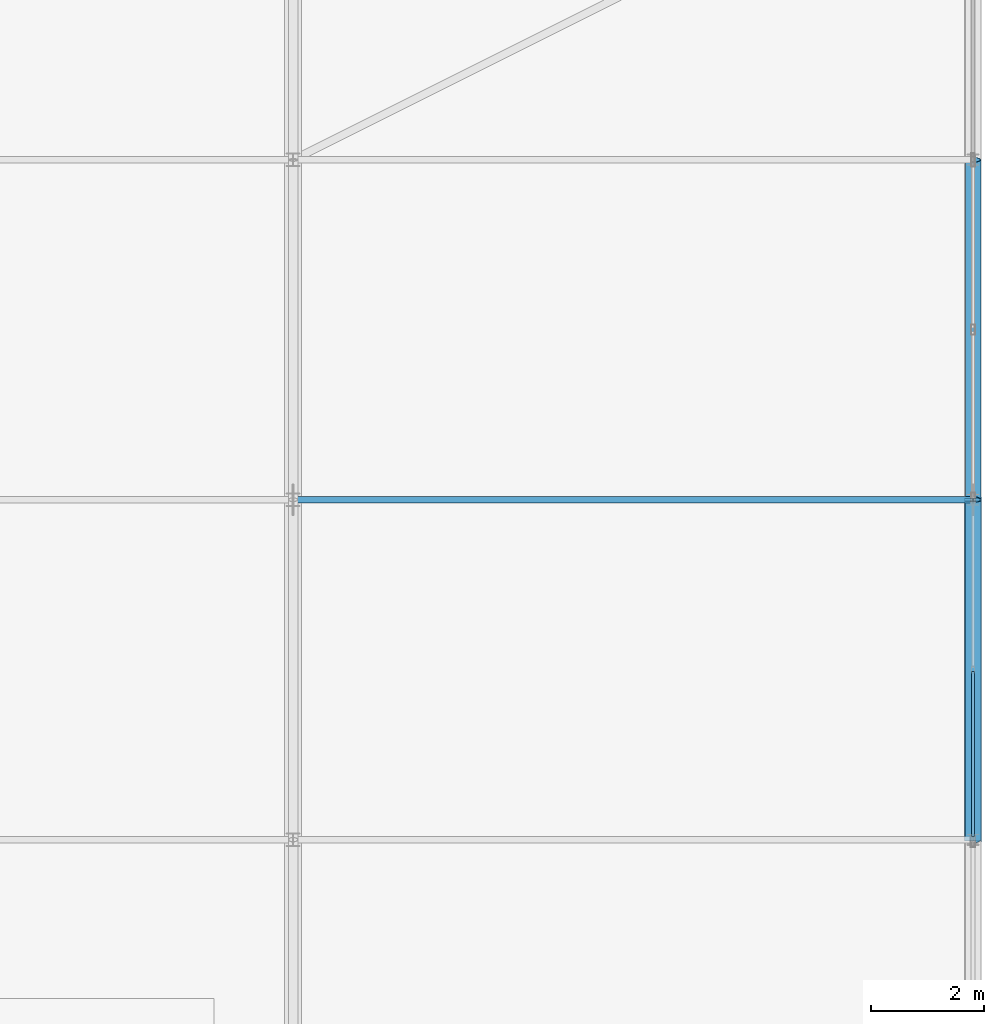
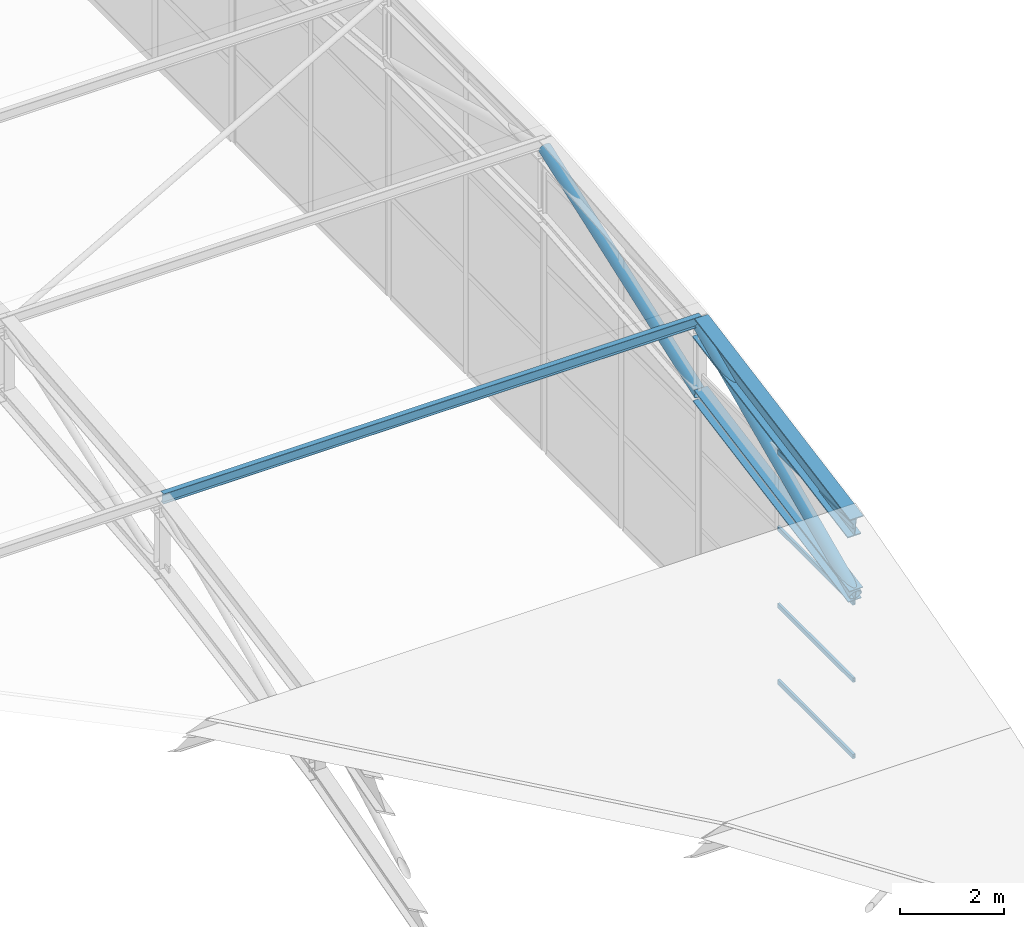
# One storey, part 109 of 204: 9 members, 1 element without a shape of its own.
"""IFC4 building model written with IfcOpenShell, lengths in metres."""

from ifc_helpers import new_model, si_unit, direction, frame, origin, origin_2d, place, context, subcontext, project, spatial, hollow_rectangle, hollow_circle, i_section, extrude, material, layer, layer_set, material_profile, profile_set, type_object, element, aggregate, save


model = new_model("IFC4")

# Units and contexts
model_context = context("Model", 3, precision=1e-05, world=origin(), true_north=direction((0.0, 1.0)))
body_context = subcontext(model_context, "Body", "Model", "MODEL_VIEW")
ifc_project = project(units=[si_unit("LENGTHUNIT", "METRE"), si_unit("AREAUNIT", "SQUARE_METRE"), si_unit("VOLUMEUNIT", "CUBIC_METRE"), si_unit("PLANEANGLEUNIT", "RADIAN"), si_unit("MASSUNIT", "GRAM", prefix="KILO")], contexts=[model_context])

# Site, building, storey
site_placement = place(None, origin())
site = spatial("IfcSite", under=ifc_project, at=site_placement, CompositionType="ELEMENT")
building_placement = place(site_placement, origin())
building = spatial("IfcBuilding", under=site, at=building_placement, Name="Zilviju Railside Exhibition Hall", CompositionType="ELEMENT")
storey_placement = place(building_placement, frame((0.0, 0.0, 21.0)))
storey = spatial("IfcBuildingStorey", under=building, at=storey_placement, Name="RF", CompositionType="ELEMENT", Elevation=21.0)

# Curtain wall, members
ifc_material_1 = material(Name="Thermally broken aluminium-steel triple-glazed curtain wall", Category="steel")
ifc_layer = layer(ifc_material_1, 0.179931640625)
ifc_layer_set = layer_set([ifc_layer], Name="Thermally broken aluminium-steel triple-glazed curtain wall")
curtain_wall_type = type_object("IfcCurtainWallType", Name="CW-BAY-20", PredefinedType="USERDEFINED", material=ifc_layer_set)
curtain_wall_placement = place(storey_placement, origin())
curtain_wall = element("IfcCurtainWall", 1, at=curtain_wall_placement, inside=storey, type_object=curtain_wall_type, Name="South Hall Arch Tympanum Glazing East P3", ObjectType="GLAZED CURTAIN WALL", PredefinedType="USERDEFINED")
ifc_material_2 = material(Name="Thermally broken anodized aluminium transom", Category="aluminium")
ifc_material_profile_1 = material_profile(ifc_material_2, hollow_rectangle(XDim=0.054931640625, YDim=0.10498046875, WallThickness=0.0048828125, at=origin_2d()), Name="TRANSOM 105x55x5")
ifc_profile_set_1 = profile_set([ifc_material_profile_1], Name="Thermally broken anodized aluminium transom")
member_type_1 = type_object("IfcMemberType", Name="CWT-55x105", PredefinedType="USERDEFINED", material=ifc_profile_set_1)
member_1_placement = place(storey_placement, frame((216.0, 14.972412109375, -7.7724609375), z_axis=(0.0, -1.0, 0.0), x_axis=(1.0, 0.0, 0.0)))
member_1 = element("IfcMember", 2, at=member_1_placement, type_object=member_type_1, Name="CW-20 transom 2.1", ObjectType="TRANSOM", PredefinedType="USERDEFINED", context=body_context, shape_type="SweptSolid", body=[
    extrude(hollow_rectangle(XDim=0.054931640625, YDim=0.10498046875, WallThickness=0.0048828125, at=origin_2d()), origin(), (0.0, 0.0, 1.0), 2.91748046875),
])
member_2_placement = place(storey_placement, frame((216.0, 14.972412109375, -5.97607421875), z_axis=(0.0, -1.0, 0.0), x_axis=(1.0, 0.0, 0.0)))
member_2 = element("IfcMember", 3, at=member_2_placement, type_object=member_type_1, Name="CW-20 transom 2.2", ObjectType="TRANSOM", PredefinedType="USERDEFINED", context=body_context, shape_type="SweptSolid", body=[
    extrude(hollow_rectangle(XDim=0.054931640625, YDim=0.10498046875, WallThickness=0.0048828125, at=origin_2d()), origin(), (0.0, 0.0, 1.0), 2.91748046875),
])
member_3_placement = place(storey_placement, frame((216.0, 14.972412109375, -4.152099609375), z_axis=(0.0, -1.0, 0.0), x_axis=(1.0, 0.0, 0.0)))
member_3 = element("IfcMember", 4, at=member_3_placement, type_object=member_type_1, Name="CW-20 transom 2.3", ObjectType="TRANSOM", PredefinedType="USERDEFINED", context=body_context, shape_type="SweptSolid", body=[
    extrude(hollow_rectangle(XDim=0.054931640625, YDim=0.10498046875, WallThickness=0.0048828125, at=origin_2d()), origin(), (0.0, 0.0, 1.0), 2.91748046875),
])
member_4_placement = place(storey_placement, frame((216.0, 14.972412109375, -2.35546875), z_axis=(0.0, -1.0, 0.0), x_axis=(1.0, 0.0, 0.0)))
member_4 = element("IfcMember", 5, at=member_4_placement, type_object=member_type_1, Name="CW-20 transom 2.4", ObjectType="TRANSOM", PredefinedType="USERDEFINED", context=body_context, shape_type="SweptSolid", body=[
    extrude(hollow_rectangle(XDim=0.054931640625, YDim=0.10498046875, WallThickness=0.0048828125, at=origin_2d()), origin(), (0.0, 0.0, 1.0), 2.91748046875),
])
aggregate(curtain_wall, [member_1, member_2, member_3, member_4])

# Members
ifc_material_3 = material(Name="Steel S355ML", Category="steel")
ifc_material_profile_2 = material_profile(ifc_material_3, hollow_circle(Radius=0.136474609375, WallThickness=0.012451171875, at=origin_2d()), Name="CHS 273.0x12.5")
ifc_profile_set_2 = profile_set([ifc_material_profile_2], Name="Steel S355ML")
member_type_2 = type_object("IfcMemberType", Name="TR-BR-CHS273", PredefinedType="BRACE", material=ifc_profile_set_2)
member_5_placement = place(storey_placement, frame((216.0, 12.0, -3.928466796875), z_axis=(0.0, 0.911563042822, 0.411160332425), x_axis=(-1.0, 0.0, 0.0)))
element("IfcMember", 6, at=member_5_placement, inside=storey, type_object=member_type_2, Name="V1 Parabolic Arch Web Diagonal X=216.0 P3", PredefinedType="BRACE", context=body_context, shape_type="SweptSolid", body=[
    extrude(hollow_circle(Radius=0.136474609375, WallThickness=0.012451171875, at=origin_2d()), origin(), (0.0, 0.0, 1.0), 6.58203125),
])
member_6_placement = place(storey_placement, frame((216.0, 18.0, -2.822265625), z_axis=(0.0, 0.94123307508, 0.337757751023), x_axis=(-1.0, 0.0, 0.0)))
element("IfcMember", 7, at=member_6_placement, inside=storey, type_object=member_type_2, Name="V1 Parabolic Arch Web Diagonal X=216.0 P4", PredefinedType="BRACE", context=body_context, shape_type="SweptSolid", body=[
    extrude(hollow_circle(Radius=0.136474609375, WallThickness=0.012451171875, at=origin_2d()), origin(), (0.0, 0.0, 1.0), 6.37451171875),
])
ifc_material_profile_3 = material_profile(ifc_material_3, i_section(OverallWidth=0.300048828125, OverallDepth=0.300048828125, WebThickness=0.010986328125, FlangeThickness=0.01904296875, at=origin_2d()), Name="HEB 300")
ifc_profile_set_3 = profile_set([ifc_material_profile_3], Name="Steel S355ML")
member_type_3 = type_object("IfcMemberType", Name="TR-CH-HEB300", PredefinedType="CHORD", material=ifc_profile_set_3)
member_7_placement = place(storey_placement, frame((216.0, 12.0, -3.928466796875), z_axis=(0.0, 0.98342578549, 0.18131112606), x_axis=(-1.0, 0.0, 0.0)))
element("IfcMember", 8, at=member_7_placement, inside=storey, type_object=member_type_3, Name="V1 Parabolic Arch Bottom Chord X=216.0 P3", PredefinedType="CHORD", context=body_context, shape_type="SweptSolid", body=[
    extrude(i_section(OverallWidth=0.300048828125, OverallDepth=0.300048828125, WebThickness=0.010986328125, FlangeThickness=0.01904296875, at=origin_2d()), origin(), (0.0, 0.0, 1.0), 6.10107421875),
])
ifc_material_profile_4 = material_profile(ifc_material_3, i_section(OverallWidth=0.300048828125, OverallDepth=0.5, WebThickness=0.014404296875, FlangeThickness=0.028076171875, at=origin_2d()), Name="HEB 500")
ifc_profile_set_4 = profile_set([ifc_material_profile_4], Name="Steel S355ML")
member_type_4 = type_object("IfcMemberType", Name="TR-CH-HEB500-ML", PredefinedType="CHORD", material=ifc_profile_set_4)
member_8_placement = place(storey_placement, frame((216.0, 12.0, -2.328369140625), z_axis=(0.0, 0.98342578549, 0.18131112606), x_axis=(-1.0, 0.0, 0.0)))
element("IfcMember", 9, at=member_8_placement, inside=storey, type_object=member_type_4, Name="V1 Parabolic Arch Top Chord X=216.0 P3", PredefinedType="CHORD", context=body_context, shape_type="SweptSolid", body=[
    extrude(i_section(OverallWidth=0.300048828125, OverallDepth=0.5, WebThickness=0.014404296875, FlangeThickness=0.028076171875, at=origin_2d()), origin(), (0.0, 0.0, 1.0), 6.10107421875),
])
ifc_material_4 = material(Name="Steel S355J2", Category="steel")
ifc_material_profile_5 = material_profile(ifc_material_4, i_section(OverallWidth=0.1201171875, OverallDepth=0.239990234375, WebThickness=0.006103515625, FlangeThickness=0.009765625, at=origin_2d()), Name="IPE 240")
ifc_profile_set_5 = profile_set([ifc_material_profile_5], Name="Steel S355J2")
member_type_5 = type_object("IfcMemberType", Name="TR-PUR-IPE240", PredefinedType="PURLIN", material=ifc_profile_set_5)
member_9_placement = place(storey_placement, frame((204.0, 18.0, -1.0771484375), z_axis=(1.0, 0.0, 0.0), x_axis=(0.0, 1.0, 0.0)))
element("IfcMember", 10, at=member_9_placement, inside=storey, type_object=member_type_5, Name="V1 Barrel Vault Roof Purlin Y=18.0 (204.0..216.0)", PredefinedType="PURLIN", context=body_context, shape_type="SweptSolid", body=[
    extrude(i_section(OverallWidth=0.1201171875, OverallDepth=0.239990234375, WebThickness=0.006103515625, FlangeThickness=0.009765625, at=origin_2d()), origin(), (0.0, 0.0, 1.0), 12.0),
])

save(model, "model.ifc")
